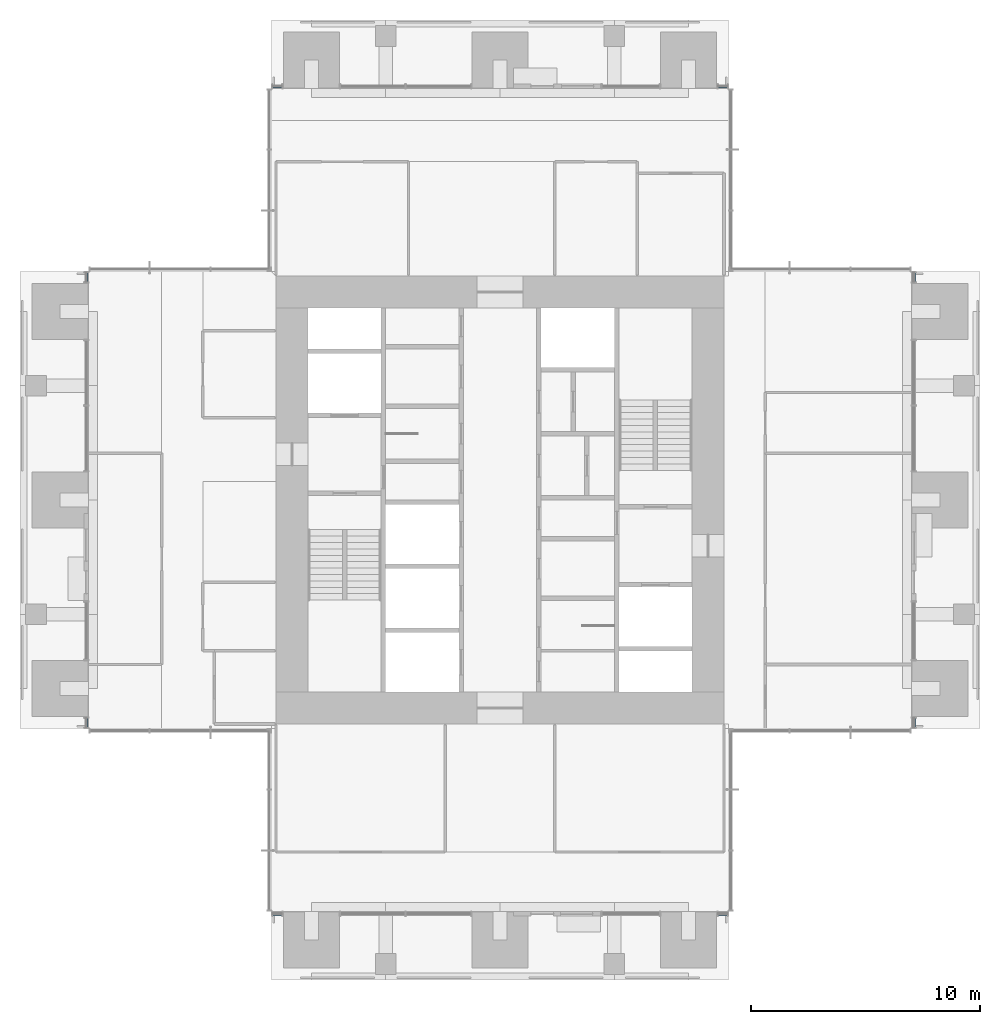
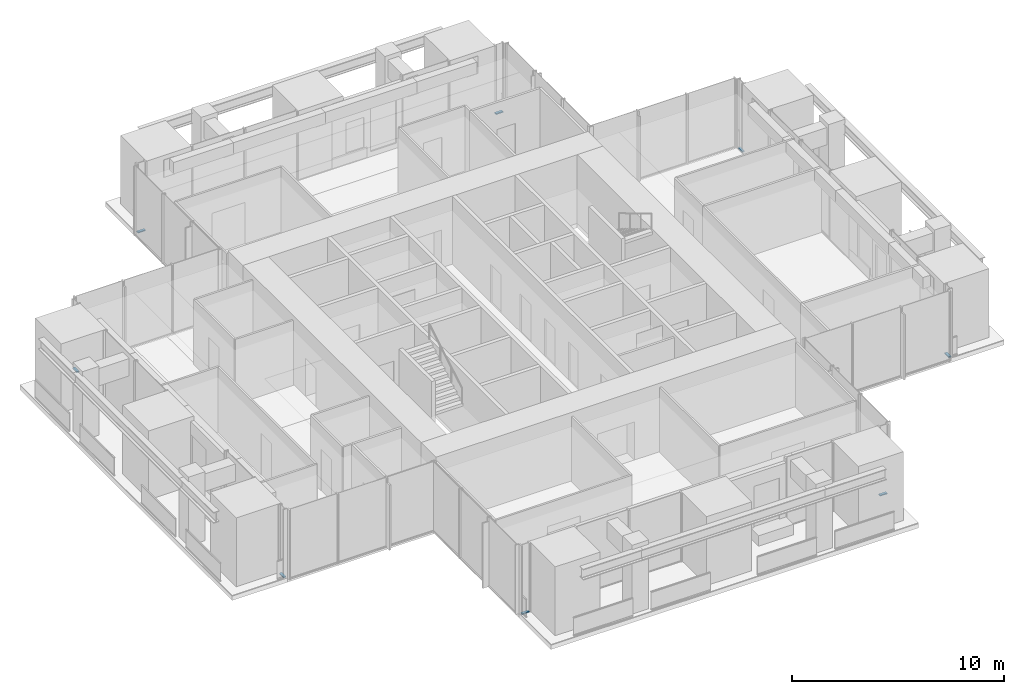
# One storey, part 6 of 17: 8 members, 8 elements without a shape of their own.
"""IFC4 building model written with IfcOpenShell, lengths in metres."""

from ifc_helpers import new_model, si_unit, direction, frame, origin, origin_2d, place, context, subcontext, project, spatial, rectangle, extrude, material, material_profile, profile_set, type_object, element, aggregate, save


model = new_model("IFC4")

# Units and contexts
model_context = context("Model", 3, precision=1e-05, world=origin(), true_north=direction((0.0, 1.0)))
body_context = subcontext(model_context, "Body", "Model", "MODEL_VIEW")
ifc_project = project(units=[si_unit("LENGTHUNIT", "METRE"), si_unit("AREAUNIT", "SQUARE_METRE"), si_unit("VOLUMEUNIT", "CUBIC_METRE"), si_unit("PLANEANGLEUNIT", "RADIAN"), si_unit("MASSUNIT", "GRAM", prefix="KILO")], contexts=[model_context])

# Site, building, storey
site_placement = place(None, origin())
site = spatial("IfcSite", under=ifc_project, at=site_placement, CompositionType="ELEMENT")
building_placement = place(site_placement, origin())
building = spatial("IfcBuilding", under=site, at=building_placement, Name="Svetlomir Tower", CompositionType="ELEMENT")
storey_placement = place(building_placement, frame((0.0, 0.0, 210.5)))
storey = spatial("IfcBuildingStorey", under=building, at=storey_placement, Name="L50", CompositionType="ELEMENT", Elevation=210.5)

# Curtain wall, member
ifc_material_1 = material(Name="Bronze anodised aluminium curtain wall", Category="aluminium")
curtain_wall_type = type_object("IfcCurtainWallType", Name="CURTAIN WALL CW1 TOWER OFFICE", PredefinedType="NOTDEFINED", material=ifc_material_1)
curtain_wall_1_placement = place(storey_placement, origin())
curtain_wall_1 = element("IfcCurtainWall", 1, at=curtain_wall_1_placement, inside=storey, type_object=curtain_wall_type, Name="Curtain wall CW1 L50", PredefinedType="NOTDEFINED")
ifc_material_2 = material(Name="Bronze anodised aluminium", Category="aluminium")
ifc_material_profile = material_profile(ifc_material_2, rectangle(XDim=0.139892578125, YDim=0.06494140625, at=origin_2d()), Name="AL 140x65")
ifc_profile_set = profile_set([ifc_material_profile], Name="Bronze anodised aluminium 6063-T6")
member_type = type_object("IfcMemberType", Name="CW1 TRANSOM 65x140", PredefinedType="USERDEFINED", material=ifc_profile_set)
member_1_placement = place(storey_placement, frame((11.06494140625, 2.89990234375, 0.032470703125), z_axis=(1.0, 0.0, 0.0), x_axis=(0.0, 1.0, 0.0)))
member_1 = element("IfcMember", 2, at=member_1_placement, type_object=member_type, Name="CW1 transom 1.1", ObjectType="TRANSOM", PredefinedType="USERDEFINED", context=body_context, shape_type="SweptSolid", body=[
    extrude(rectangle(XDim=0.139892578125, YDim=0.06494140625, at=origin_2d()), origin(), (0.0, 0.0, 1.0), 0.39501953125),
])
aggregate(curtain_wall_1, [member_1])

curtain_wall_2_placement = place(storey_placement, origin())
curtain_wall_2 = element("IfcCurtainWall", 3, at=curtain_wall_2_placement, inside=storey, type_object=curtain_wall_type, Name="Curtain wall CW1 L50", PredefinedType="NOTDEFINED")
member_2_placement = place(storey_placement, frame((30.5400390625, 2.89990234375, 0.032470703125), z_axis=(1.0, 0.0, 0.0), x_axis=(0.0, 1.0, 0.0)))
member_2 = element("IfcMember", 4, at=member_2_placement, type_object=member_type, Name="CW1 transom 1.1", ObjectType="TRANSOM", PredefinedType="USERDEFINED", context=body_context, shape_type="SweptSolid", body=[
    extrude(rectangle(XDim=0.139892578125, YDim=0.06494140625, at=origin_2d()), origin(), (0.0, 0.0, 1.0), 0.39501953125),
])
aggregate(curtain_wall_2, [member_2])

curtain_wall_3_placement = place(storey_placement, origin())
curtain_wall_3 = element("IfcCurtainWall", 5, at=curtain_wall_3_placement, inside=storey, type_object=curtain_wall_type, Name="Curtain wall CW1 L50", PredefinedType="NOTDEFINED")
member_3_placement = place(storey_placement, frame((39.10009765625, 11.06494140625, 0.032470703125), z_axis=(0.0, 1.0, 0.0), x_axis=(-1.0, 0.0, 0.0)))
member_3 = element("IfcMember", 6, at=member_3_placement, type_object=member_type, Name="CW1 transom 1.1", ObjectType="TRANSOM", PredefinedType="USERDEFINED", context=body_context, shape_type="SweptSolid", body=[
    extrude(rectangle(XDim=0.139892578125, YDim=0.06494140625, at=origin_2d()), origin(), (0.0, 0.0, 1.0), 0.39501953125),
])
aggregate(curtain_wall_3, [member_3])

curtain_wall_4_placement = place(storey_placement, origin())
curtain_wall_4 = element("IfcCurtainWall", 7, at=curtain_wall_4_placement, inside=storey, type_object=curtain_wall_type, Name="Curtain wall CW1 L50", PredefinedType="NOTDEFINED")
member_4_placement = place(storey_placement, frame((39.10009765625, 30.5400390625, 0.032470703125), z_axis=(0.0, 1.0, 0.0), x_axis=(-1.0, 0.0, 0.0)))
member_4 = element("IfcMember", 8, at=member_4_placement, type_object=member_type, Name="CW1 transom 1.1", ObjectType="TRANSOM", PredefinedType="USERDEFINED", context=body_context, shape_type="SweptSolid", body=[
    extrude(rectangle(XDim=0.139892578125, YDim=0.06494140625, at=origin_2d()), origin(), (0.0, 0.0, 1.0), 0.39501953125),
])
aggregate(curtain_wall_4, [member_4])

curtain_wall_5_placement = place(storey_placement, origin())
curtain_wall_5 = element("IfcCurtainWall", 9, at=curtain_wall_5_placement, inside=storey, type_object=curtain_wall_type, Name="Curtain wall CW1 L50", PredefinedType="NOTDEFINED")
member_5_placement = place(storey_placement, frame((30.93505859375, 39.10009765625, 0.032470703125), z_axis=(-1.0, 0.0, 0.0), x_axis=(0.0, -1.0, 0.0)))
member_5 = element("IfcMember", 10, at=member_5_placement, type_object=member_type, Name="CW1 transom 1.1", ObjectType="TRANSOM", PredefinedType="USERDEFINED", context=body_context, shape_type="SweptSolid", body=[
    extrude(rectangle(XDim=0.139892578125, YDim=0.06494140625, at=origin_2d()), origin(), (0.0, 0.0, 1.0), 0.39501953125),
])
aggregate(curtain_wall_5, [member_5])

curtain_wall_6_placement = place(storey_placement, origin())
curtain_wall_6 = element("IfcCurtainWall", 11, at=curtain_wall_6_placement, inside=storey, type_object=curtain_wall_type, Name="Curtain wall CW1 L50", PredefinedType="NOTDEFINED")
member_6_placement = place(storey_placement, frame((11.4599609375, 39.10009765625, 0.032470703125), z_axis=(-1.0, 0.0, 0.0), x_axis=(0.0, -1.0, 0.0)))
member_6 = element("IfcMember", 12, at=member_6_placement, type_object=member_type, Name="CW1 transom 1.1", ObjectType="TRANSOM", PredefinedType="USERDEFINED", context=body_context, shape_type="SweptSolid", body=[
    extrude(rectangle(XDim=0.139892578125, YDim=0.06494140625, at=origin_2d()), origin(), (0.0, 0.0, 1.0), 0.39501953125),
])
aggregate(curtain_wall_6, [member_6])

curtain_wall_7_placement = place(storey_placement, origin())
curtain_wall_7 = element("IfcCurtainWall", 13, at=curtain_wall_7_placement, inside=storey, type_object=curtain_wall_type, Name="Curtain wall CW1 L50", PredefinedType="NOTDEFINED")
member_7_placement = place(storey_placement, frame((2.89990234375, 30.93505859375, 0.032470703125), z_axis=(0.0, -1.0, 0.0), x_axis=(1.0, 0.0, 0.0)))
member_7 = element("IfcMember", 14, at=member_7_placement, type_object=member_type, Name="CW1 transom 1.1", ObjectType="TRANSOM", PredefinedType="USERDEFINED", context=body_context, shape_type="SweptSolid", body=[
    extrude(rectangle(XDim=0.139892578125, YDim=0.06494140625, at=origin_2d()), origin(), (0.0, 0.0, 1.0), 0.39501953125),
])
aggregate(curtain_wall_7, [member_7])

curtain_wall_8_placement = place(storey_placement, origin())
curtain_wall_8 = element("IfcCurtainWall", 15, at=curtain_wall_8_placement, inside=storey, type_object=curtain_wall_type, Name="Curtain wall CW1 L50", PredefinedType="NOTDEFINED")
member_8_placement = place(storey_placement, frame((2.89990234375, 11.4599609375, 0.032470703125), z_axis=(0.0, -1.0, 0.0), x_axis=(1.0, 0.0, 0.0)))
member_8 = element("IfcMember", 16, at=member_8_placement, type_object=member_type, Name="CW1 transom 1.1", ObjectType="TRANSOM", PredefinedType="USERDEFINED", context=body_context, shape_type="SweptSolid", body=[
    extrude(rectangle(XDim=0.139892578125, YDim=0.06494140625, at=origin_2d()), origin(), (0.0, 0.0, 1.0), 0.39501953125),
])
aggregate(curtain_wall_8, [member_8])

save(model, "model.ifc")
